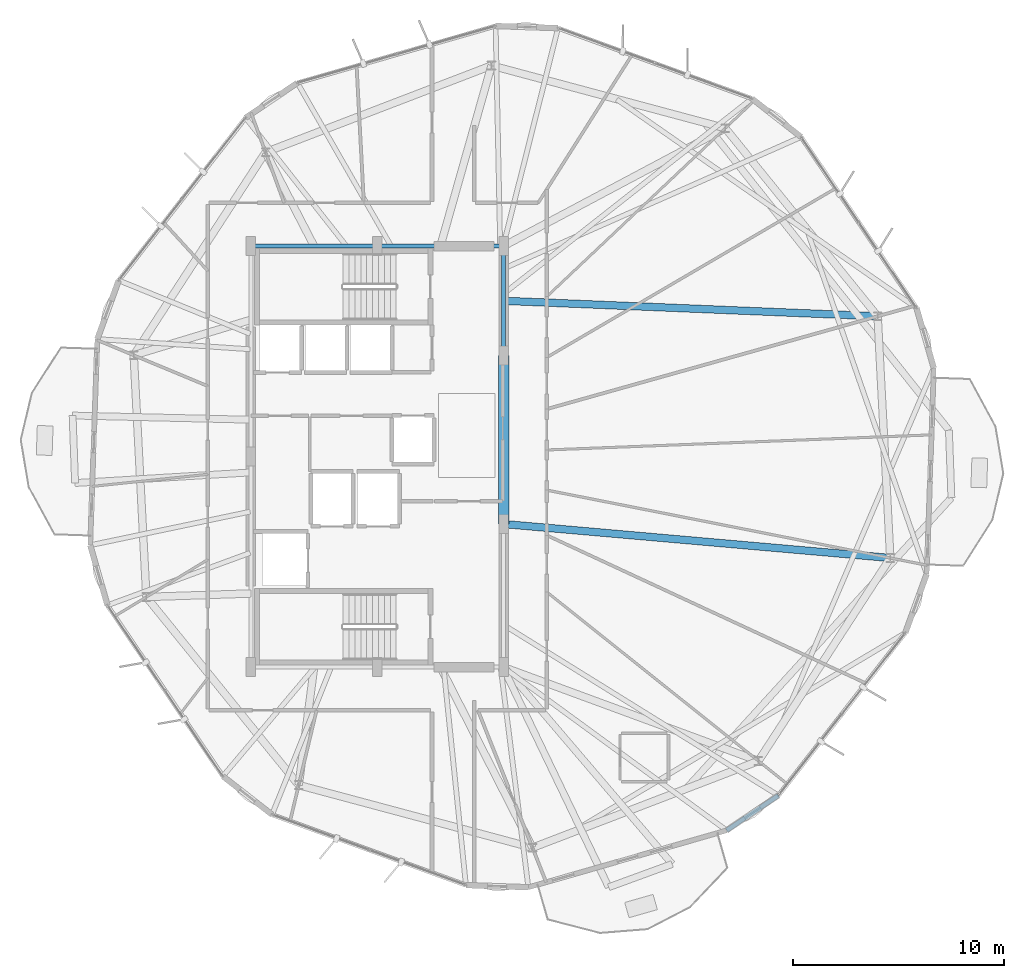
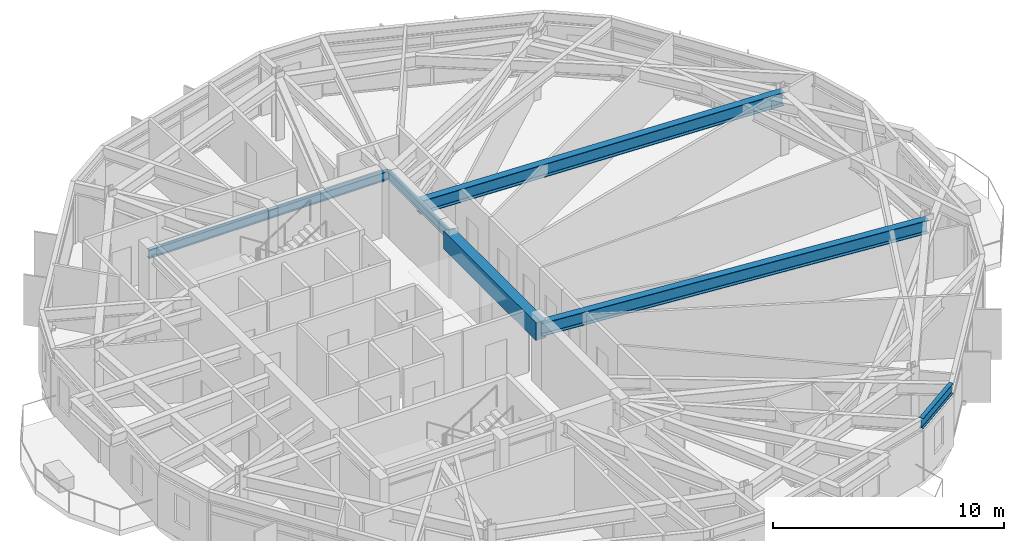
# One storey, part 8 of 30: 7 beams.
"""IFC4 building model written with IfcOpenShell, lengths in metres."""

from ifc_helpers import new_model, si_unit, direction, frame, origin, origin_2d, place, context, subcontext, project, spatial, rectangle, i_section, extrude, material, material_profile, profile_set, type_object, element, save


model = new_model("IFC4")

# Units and contexts
model_context = context("Model", 3, precision=1e-05, world=origin(), true_north=direction((0.0, 1.0)))
body_context = subcontext(model_context, "Body", "Model", "MODEL_VIEW")
ifc_project = project(units=[si_unit("LENGTHUNIT", "METRE"), si_unit("AREAUNIT", "SQUARE_METRE"), si_unit("VOLUMEUNIT", "CUBIC_METRE"), si_unit("PLANEANGLEUNIT", "RADIAN"), si_unit("MASSUNIT", "GRAM", prefix="KILO")], contexts=[model_context])

# Site, building, storey
site_placement = place(None, origin())
site = spatial("IfcSite", under=ifc_project, at=site_placement, CompositionType="ELEMENT")
building_placement = place(site_placement, origin())
building = spatial("IfcBuilding", under=site, at=building_placement, Name="Soratama Intermodal Tower", CompositionType="ELEMENT")
storey_placement = place(building_placement, frame((0.0, 0.0, 223.0)))
storey = spatial("IfcBuildingStorey", under=building, at=storey_placement, Name="L56", CompositionType="ELEMENT", Elevation=223.0)

# Beams
ifc_material_1 = material(Name="Concrete f'c 56 MPa", Category="concrete")
ifc_material_profile_1 = material_profile(ifc_material_1, rectangle(XDim=0.5, YDim=0.949951171875, at=origin_2d()), Name="RC500X950")
ifc_profile_set_1 = profile_set([ifc_material_profile_1], Name="Concrete f'c 56 MPa")
beam_type_1 = type_object("IfcBeamType", Name="BM-CPL-RC500X950", PredefinedType="BEAM", material=ifc_profile_set_1)
beam_1_placement = place(storey_placement, frame((44.60009765625, 21.800048828125, 2.824951171875), z_axis=(0.0, 1.0, 0.0), x_axis=(-1.0, 0.0, 0.0)))
element("IfcBeam", 1, at=beam_1_placement, inside=storey, type_object=beam_type_1, Name="L56 Core Coupling Beam East", PredefinedType="BEAM", context=body_context, shape_type="SweptSolid", body=[
    extrude(rectangle(XDim=0.5, YDim=0.949951171875, at=origin_2d()), origin(), (0.0, 0.0, 1.0), 8.0),
])
ifc_material_2 = material(Name="Structural steel ASTM A992 Grade 50", Category="steel")
ifc_material_profile_2 = material_profile(ifc_material_2, i_section(OverallWidth=0.19091796875, OverallDepth=0.4599609375, WebThickness=0.010009765625, FlangeThickness=0.01611328125, FilletRadius=0.010986328125, at=origin_2d()), Name="W18X55")
ifc_profile_set_2 = profile_set([ifc_material_profile_2], Name="Structural steel ASTM A992 Grade 50")
beam_type_2 = type_object("IfcBeamType", Name="BM-FLR-W18X55", PredefinedType="BEAM", material=ifc_profile_set_2)
beam_2_placement = place(storey_placement, frame((44.60009765625, 29.800048828125, 3.070068359375), z_axis=(0.0, 1.0, 0.0), x_axis=(-1.0, 0.0, 0.0)))
element("IfcBeam", 2, at=beam_2_placement, inside=storey, type_object=beam_type_2, Name="BM-L56-CRING-05", PredefinedType="BEAM", context=body_context, shape_type="SweptSolid", body=[
    extrude(i_section(OverallWidth=0.19091796875, OverallDepth=0.4599609375, WebThickness=0.010009765625, FlangeThickness=0.01611328125, FilletRadius=0.010986328125, at=origin_2d()), origin(), (0.0, 0.0, 1.0), 5.199951171875),
])
for number, where, z_axis, x_axis, name in (
    (3, (44.60009765625, 35.0, 3.070068359375), (-1.0, 0.0, 0.0), (0.0, -1.0, 0.0), "BM-L56-CRING-06"),
    (4, (38.60009765625, 35.0, 3.070068359375), (-1.0, 0.0, 0.0), (0.0, -1.0, 0.0), "BM-L56-CRING-07"),
):
    element("IfcBeam", number, at=place(storey_placement, frame(where, z_axis=z_axis, x_axis=x_axis)), inside=storey, type_object=beam_type_2, Name=name, PredefinedType="BEAM", context=body_context, shape_type="SweptSolid", body=[
        extrude(i_section(OverallWidth=0.19091796875, OverallDepth=0.4599609375, WebThickness=0.010009765625, FlangeThickness=0.01611328125, FilletRadius=0.010986328125, at=origin_2d()), origin(), (0.0, 0.0, 1.0), 6.0),
    ])
ifc_material_3 = material(Name="Structural steel ASTM A992 Grade 50", Category="steel")
ifc_material_profile_3 = material_profile(ifc_material_3, i_section(OverallWidth=0.35498046875, OverallDepth=0.695068359375, WebThickness=0.015380859375, FlangeThickness=0.02490234375, FilletRadius=0.01611328125, at=origin_2d()), Name="W27X146")
ifc_profile_set_3 = profile_set([ifc_material_profile_3], Name="Structural steel ASTM A992 Grade 50")
beam_type_3 = type_object("IfcBeamType", Name="BM-RING-W27X146", PredefinedType="BEAM", material=ifc_profile_set_3)
beam_3_placement = place(storey_placement, frame((44.60009765625, 32.39990234375, 2.952392578125), z_axis=(0.999147788389, -0.041275864109, 0.0), x_axis=(0.041275864109, 0.999147788389, 0.0)))
element("IfcBeam", 5, at=beam_3_placement, inside=storey, type_object=beam_type_3, Name="BM-L56-RAD-01", PredefinedType="BEAM", context=body_context, shape_type="SweptSolid", body=[
    extrude(i_section(OverallWidth=0.35498046875, OverallDepth=0.695068359375, WebThickness=0.015380859375, FlangeThickness=0.02490234375, FilletRadius=0.01611328125, at=origin_2d()), origin(), (0.0, 0.0, 1.0), 17.780029296875),
])
beam_4_placement = place(storey_placement, frame((44.60009765625, 21.800048828125, 2.952392578125), z_axis=(0.996160716813, -0.087543282317, 0.0), x_axis=(0.087543282317, 0.996160716813, 0.0)))
element("IfcBeam", 6, at=beam_4_placement, inside=storey, type_object=beam_type_3, Name="BM-L56-RAD-10", PredefinedType="BEAM", context=body_context, shape_type="SweptSolid", body=[
    extrude(i_section(OverallWidth=0.35498046875, OverallDepth=0.695068359375, WebThickness=0.015380859375, FlangeThickness=0.02490234375, FilletRadius=0.01611328125, at=origin_2d()), origin(), (0.0, 0.0, 1.0), 18.436767578125),
])
ifc_material_4 = material(Name="Structural steel ASTM A992 Grade 50", Category="steel")
ifc_material_profile_4 = material_profile(ifc_material_4, i_section(OverallWidth=0.2099609375, OverallDepth=0.537109375, WebThickness=0.010986328125, FlangeThickness=0.017333984375, FilletRadius=0.012939453125, at=origin_2d()), Name="W21X68")
ifc_profile_set_4 = profile_set([ifc_material_profile_4], Name="Structural steel ASTM A992 Grade 50")
beam_type_4 = type_object("IfcBeamType", Name="BM-SPN-W21X68", PredefinedType="SPANDREL", material=ifc_profile_set_4)
beam_5_placement = place(storey_placement, frame((55.194091796875, 7.2470703125, 3.031494140625), z_axis=(0.828986049567, 0.559269281852, 0.0), x_axis=(-0.559269281852, 0.828986049567, 0.0)))
element("IfcBeam", 7, at=beam_5_placement, inside=storey, type_object=beam_type_4, Name="BS-L56-CRN07", PredefinedType="SPANDREL", context=body_context, shape_type="SweptSolid", body=[
    extrude(i_section(OverallWidth=0.2099609375, OverallDepth=0.537109375, WebThickness=0.010986328125, FlangeThickness=0.017333984375, FilletRadius=0.012939453125, at=origin_2d()), origin(), (0.0, 0.0, 1.0), 2.96630859375),
])

save(model, "model.ifc")
